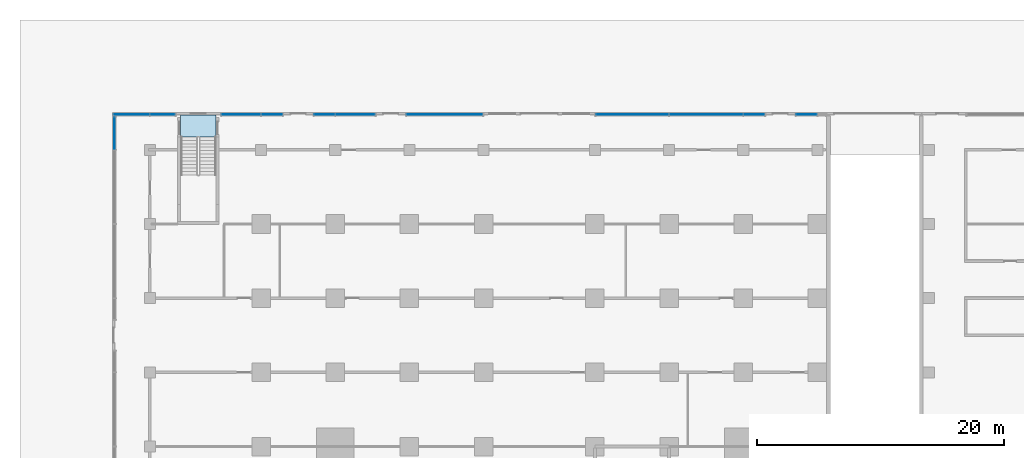
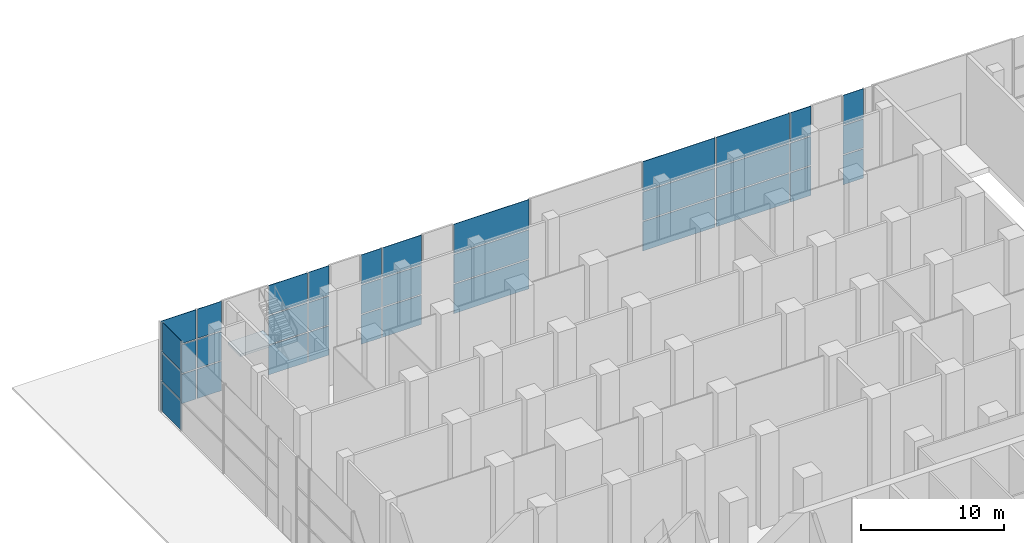
# One storey, part 15 of 29: 36 plates, 1 slab, 8 elements without a shape of their own.
"""IFC4 building model written with IfcOpenShell, lengths in metres."""

import ifcopenshell
import ifcopenshell.guid

model = None  # the IFC model being written
_history = None  # IfcOwnerHistory: only IFC2X3 demands one
_inside = {}  # id of a spatial element -> (the spatial element, [elements in it])
_under = {}  # id of a project, library or spatial element -> (it, [spatial elements below it])
_declared = {}  # id of a project -> (the project, [libraries it declares])
_typed = {}  # id of a type object -> (the type object, [elements of that type])
_made_of = {}  # id of a material, layer set ... -> (it, [elements and type objects made of it])


def new_model(schema):
    """Start an empty IFC model of exactly this schema.

    Asked for "IFC4X3", IfcOpenShell would pick the latest addendum, in which some entities
    have other attributes; the version numbers below select the first issue.
    IFC2X3 requires an IfcOwnerHistory on every rooted entity: one is made here for all.
    """
    global model, _history
    if schema == "IFC4X3":
        model = ifcopenshell.file(schema_version=(4, 3, 0, 0))
    else:
        model = ifcopenshell.file(schema=schema)
    _inside.clear()
    _under.clear()
    _declared.clear()
    _typed.clear()
    _made_of.clear()
    _history = None
    if model.schema == "IFC2X3":
        org = make("IfcOrganization", Name="unknown")
        user = make(
            "IfcPersonAndOrganization",
            ThePerson=make("IfcPerson", FamilyName="unknown"),
            TheOrganization=org,
        )
        app = make(
            "IfcApplication",
            ApplicationDeveloper=org,
            Version="unknown",
            ApplicationFullName="unknown",
            ApplicationIdentifier="unknown",
        )
        _history = make(
            "IfcOwnerHistory",
            OwningUser=user,
            OwningApplication=app,
            ChangeAction="ADDED",
            CreationDate=0,
        )
    return model


def make(cls, **values):
    """One entity of the class cls with the attributes given. An attribute that is None is left unset."""
    return model.create_entity(
        cls, **{name: value for name, value in values.items() if value is not None}
    )


def rooted(cls, **values):
    """An entity with a GlobalId (a new one), such as an element, a storey or a relation."""
    return make(cls, GlobalId=ifcopenshell.guid.new(), OwnerHistory=_history, **values)


def si_unit(unit_type, name, prefix=None):
    """IfcSIUnit, for example si_unit("LENGTHUNIT", "METRE", prefix="MILLI")."""
    return make("IfcSIUnit", UnitType=unit_type, Prefix=prefix, Name=name)


def assignment(units):
    """IfcUnitAssignment: the units of a project."""
    return None if units is None else make("IfcUnitAssignment", Units=units)


def point(xyz):
    """IfcCartesianPoint."""
    return None if xyz is None else make("IfcCartesianPoint", Coordinates=xyz)


def direction(xyz):
    """IfcDirection."""
    return None if xyz is None else make("IfcDirection", DirectionRatios=xyz)


def frame(location, z_axis=None, x_axis=None):
    """IfcAxis2Placement3D, a coordinate frame: its origin and axes. An axis left out is left unset."""
    return make(
        "IfcAxis2Placement3D",
        Location=point(location),
        Axis=direction(z_axis),
        RefDirection=direction(x_axis),
    )


def frame_2d(location, x_axis=None):
    """IfcAxis2Placement2D, a coordinate frame in the plane: its origin and x axis."""
    return make(
        "IfcAxis2Placement2D", Location=point(location), RefDirection=direction(x_axis)
    )


def origin():
    """The frame at (0, 0, 0) with its axes left unset."""
    return frame((0.0, 0.0, 0.0))


def origin_2d():
    """The frame at (0, 0) in the plane with its x axis left unset."""
    return frame_2d((0.0, 0.0))


def place(relative_to, where):
    """IfcLocalPlacement: puts the frame where relative to a parent placement (None: the world)."""
    return make(
        "IfcLocalPlacement", PlacementRelTo=relative_to, RelativePlacement=where
    )


def context(
    kind, dimensions, precision=None, world=None, true_north=None, identifier=None
):
    """IfcGeometricRepresentationContext, for example the 3D "Model" context."""
    return make(
        "IfcGeometricRepresentationContext",
        ContextIdentifier=identifier,
        ContextType=kind,
        CoordinateSpaceDimension=dimensions,
        Precision=precision,
        WorldCoordinateSystem=world,
        TrueNorth=true_north,
    )


def subcontext(parent, identifier, kind, view, scale=None):
    """IfcGeometricRepresentationSubContext, for example "Body" below "Model"."""
    return make(
        "IfcGeometricRepresentationSubContext",
        ContextIdentifier=identifier,
        ContextType=kind,
        ParentContext=parent,
        TargetScale=scale,
        TargetView=view,
    )


def project(units=None, contexts=None):
    """IfcProject with its units and contexts."""
    return rooted(
        "IfcProject",
        Name="project",
        RepresentationContexts=contexts,
        UnitsInContext=assignment(units),
    )


def spatial(cls, under=None, at=None, **own):
    """A site, building, storey or space (cls), placed at a placement, below another one or the project."""
    s = rooted(cls, ObjectPlacement=at, **own)
    if under is not None:
        _under.setdefault(under.id(), (under, []))[1].append(s)
    return s


def polyline(points):
    """IfcPolyline through the points."""
    return make("IfcPolyline", Points=[point(p) for p in points])


def profile(cls, at=None, kind="AREA", **sizes):
    """A parametric profile (cls). Its sizes go by their IFC names, for example OverallWidth=200.0."""
    return make(cls, ProfileType=kind, Position=at, **sizes)


def rectangle(**sizes):
    """IfcRectangleProfileDef."""
    return profile("IfcRectangleProfileDef", **sizes)


def outline(outer, holes=None, kind="AREA"):
    """IfcArbitraryClosedProfileDef: a profile drawn as a closed curve; with holes, ...WithVoids."""
    if holes is None:
        return make("IfcArbitraryClosedProfileDef", ProfileType=kind, OuterCurve=outer)
    return make(
        "IfcArbitraryProfileDefWithVoids",
        ProfileType=kind,
        OuterCurve=outer,
        InnerCurves=holes,
    )


def extrude(swept, where, along, depth):
    """IfcExtrudedAreaSolid: the profile swept, set in the frame where, extruded along a direction by depth."""
    return make(
        "IfcExtrudedAreaSolid",
        SweptArea=swept,
        Position=where,
        ExtrudedDirection=direction(along),
        Depth=depth,
    )


def shape(context_of_items, identifier, shape_type, items):
    """IfcShapeRepresentation: the items that make up one representation, for example the "Body"."""
    return make(
        "IfcShapeRepresentation",
        ContextOfItems=context_of_items,
        RepresentationIdentifier=identifier,
        RepresentationType=shape_type,
        Items=items,
    )


def material(Name=None, Category=None):
    """IfcMaterial."""
    return make("IfcMaterial", Name=Name, Category=Category)


def layer(
    of_material, thickness, ventilated=None, Name=None, Category=None, Priority=None
):
    """IfcMaterialLayer: one layer of a wall or slab, of a material (None: an air gap)."""
    return make(
        "IfcMaterialLayer",
        Material=of_material,
        LayerThickness=thickness,
        IsVentilated=ventilated,
        Name=Name,
        Category=Category,
        Priority=Priority,
    )


def layer_set(layers, Name=None):
    """IfcMaterialLayerSet."""
    return make("IfcMaterialLayerSet", MaterialLayers=layers, LayerSetName=Name)


def made_of(thing, what):
    """Note that an element or type object is made of a material, layer set ...; save() writes the relation."""
    if what is not None:
        _made_of.setdefault(what.id(), (what, []))[1].append(thing)
    return thing


def type_object(cls, material=None, **own):
    """A type object (cls), such as IfcWallType, which elements share."""
    return made_of(rooted(cls, **own), material)


def element(
    cls,
    number,
    at=None,
    inside=None,
    cuts=None,
    type_object=None,
    material=None,
    context=None,
    identifier="Body",
    shape_type=None,
    held_by="IfcProductDefinitionShape",
    body=None,
    shapes=None,
    **own,
):
    """One element of the class cls, such as IfcWall. Its Tag is "e" and its number.

    at: its placement. inside: the storey or other place that contains it. cuts: it is an
    opening in that element (IfcRelVoidsElement). A single representation is given by context,
    identifier, shape_type and body (its items); several are given by shapes. held_by: the class
    of the entity that holds the representations. save() writes the other relations.
    """
    e = rooted(cls, Tag="e%d" % number, ObjectPlacement=at, **own)
    if body is not None:
        shapes = [shape(context, identifier, shape_type, body)]
    if shapes is not None:
        e.Representation = make(held_by, Representations=shapes)
    if inside is not None:
        _inside.setdefault(inside.id(), (inside, []))[1].append(e)
    if cuts is not None:
        rooted(
            "IfcRelVoidsElement", RelatingBuildingElement=cuts, RelatedOpeningElement=e
        )
    if type_object is not None:
        _typed.setdefault(type_object.id(), (type_object, []))[1].append(e)
    return made_of(e, material)


def aggregate(whole, parts):
    """IfcRelAggregates: a whole, such as a stair, and the parts it consists of."""
    return rooted("IfcRelAggregates", RelatingObject=whole, RelatedObjects=parts)


def save(model, path):
    """Write the relations noted so far, then the file.

    IfcRelAggregates (storeys below a building ...), IfcRelContainedInSpatialStructure (elements
    in a storey), IfcRelDefinesByType, IfcRelAssociatesMaterial and IfcRelDeclares: one each for
    every whole, place, type object, material and project.
    """
    for whole, parts in _under.values():
        aggregate(whole, parts)
    for where, things in _inside.values():
        rooted(
            "IfcRelContainedInSpatialStructure",
            RelatedElements=things,
            RelatingStructure=where,
        )
    for kind, things in _typed.values():
        rooted("IfcRelDefinesByType", RelatedObjects=things, RelatingType=kind)
    for what, things in _made_of.values():
        rooted("IfcRelAssociatesMaterial", RelatedObjects=things, RelatingMaterial=what)
    for by, libraries in _declared.values():
        rooted("IfcRelDeclares", RelatingContext=by, RelatedDefinitions=libraries)
    model.write(path)


model = new_model("IFC4")

# Units and contexts
model_context = context("Model", 3, precision=1e-05, world=origin(), true_north=direction((0.0, 1.0)))
body_context = subcontext(model_context, "Body", "Model", "MODEL_VIEW")
ifc_project = project(units=[si_unit("LENGTHUNIT", "METRE"), si_unit("AREAUNIT", "SQUARE_METRE"), si_unit("VOLUMEUNIT", "CUBIC_METRE"), si_unit("PLANEANGLEUNIT", "RADIAN"), si_unit("MASSUNIT", "GRAM", prefix="KILO")], contexts=[model_context])

# Site, building, storey
site_placement = place(None, origin())
site = spatial("IfcSite", under=ifc_project, at=site_placement, CompositionType="ELEMENT")
building_placement = place(site_placement, origin())
building = spatial("IfcBuilding", under=site, at=building_placement, Name="Finial Court Residences", CompositionType="ELEMENT")
storey_placement = place(building_placement, origin())
storey = spatial("IfcBuildingStorey", under=building, at=storey_placement, Name="L00", CompositionType="ELEMENT", Elevation=0.0)

# Curtain wall, plates
ifc_material_1 = material(Name="Bronze anodised aluminium", Category="aluminium")
curtain_wall_type = type_object("IfcCurtainWallType", Name="Podium shopfront", PredefinedType="NOTDEFINED", material=ifc_material_1)
curtain_wall_1_placement = place(storey_placement, origin())
curtain_wall_1 = element("IfcCurtainWall", 1, at=curtain_wall_1_placement, inside=storey, type_object=curtain_wall_type, Name="E-L00-CW-N1", PredefinedType="NOTDEFINED")
ifc_material_2 = material(Name="Clear low-e glass", Category="glass")
ifc_layer_1 = layer(ifc_material_2, 0.0400390625)
ifc_layer_set_1 = layer_set([ifc_layer_1], Name="CW4 vision glass 40")
plate_type = type_object("IfcPlateType", Name="CW4 vision glass 40", PredefinedType="CURTAIN_PANEL", material=ifc_layer_set_1)
plate_1_placement = place(storey_placement, frame((-32.97509765625, 34.35009765625, 0.0), z_axis=(0.0, 0.0, 1.0), x_axis=(1.0, 0.0, 0.0)))
plate_1 = element("IfcPlate", 2, at=plate_1_placement, type_object=plate_type, Name="CW4 glass 1.1", PredefinedType="CURTAIN_PANEL", context=body_context, shape_type="SweptSolid", body=[
    extrude(rectangle(XDim=2.85009765625, YDim=0.0400390625, at=origin_2d()), origin(), (0.0, 0.0, 1.0), 2.5),
])
plate_2_placement = place(storey_placement, frame((-32.97509765625, 34.35009765625, 2.60009765625), z_axis=(0.0, 0.0, 1.0), x_axis=(1.0, 0.0, 0.0)))
plate_2 = element("IfcPlate", 3, at=plate_2_placement, type_object=plate_type, Name="CW4 glass 1.2", PredefinedType="CURTAIN_PANEL", context=body_context, shape_type="SweptSolid", body=[
    extrude(rectangle(XDim=2.85009765625, YDim=0.0400390625, at=origin_2d()), origin(), (0.0, 0.0, 1.0), 2.449951171875),
])
plate_3_placement = place(storey_placement, frame((-32.97509765625, 34.35009765625, 5.14990234375), z_axis=(0.0, 0.0, 1.0), x_axis=(1.0, 0.0, 0.0)))
plate_3 = element("IfcPlate", 4, at=plate_3_placement, type_object=plate_type, Name="CW4 glass 1.3", PredefinedType="CURTAIN_PANEL", context=body_context, shape_type="SweptSolid", body=[
    extrude(rectangle(XDim=2.85009765625, YDim=0.0400390625, at=origin_2d()), origin(), (0.0, 0.0, 1.0), 2.5),
])
plate_4_placement = place(storey_placement, frame((-30.46240234375, 34.35009765625, 0.0), z_axis=(0.0, 0.0, 1.0), x_axis=(1.0, 0.0, 0.0)))
plate_4 = element("IfcPlate", 5, at=plate_4_placement, type_object=plate_type, Name="CW4 glass 2.1", PredefinedType="CURTAIN_PANEL", context=body_context, shape_type="SweptSolid", body=[
    extrude(rectangle(XDim=1.97509765625, YDim=0.0400390625, at=origin_2d()), origin(), (0.0, 0.0, 1.0), 2.5),
])
plate_5_placement = place(storey_placement, frame((-30.46240234375, 34.35009765625, 2.60009765625), z_axis=(0.0, 0.0, 1.0), x_axis=(1.0, 0.0, 0.0)))
plate_5 = element("IfcPlate", 6, at=plate_5_placement, type_object=plate_type, Name="CW4 glass 2.2", PredefinedType="CURTAIN_PANEL", context=body_context, shape_type="SweptSolid", body=[
    extrude(rectangle(XDim=1.97509765625, YDim=0.0400390625, at=origin_2d()), origin(), (0.0, 0.0, 1.0), 2.449951171875),
])
plate_6_placement = place(storey_placement, frame((-30.46240234375, 34.35009765625, 5.14990234375), z_axis=(0.0, 0.0, 1.0), x_axis=(1.0, 0.0, 0.0)))
plate_6 = element("IfcPlate", 7, at=plate_6_placement, type_object=plate_type, Name="CW4 glass 2.3", PredefinedType="CURTAIN_PANEL", context=body_context, shape_type="SweptSolid", body=[
    extrude(rectangle(XDim=1.97509765625, YDim=0.0400390625, at=origin_2d()), origin(), (0.0, 0.0, 1.0), 2.5),
])
aggregate(curtain_wall_1, [plate_1, plate_2, plate_3, plate_4, plate_5, plate_6])

curtain_wall_2_placement = place(storey_placement, origin())
curtain_wall_2 = element("IfcCurtainWall", 8, at=curtain_wall_2_placement, inside=storey, type_object=curtain_wall_type, Name="E-L00-CW-N2", PredefinedType="NOTDEFINED")
plate_7_placement = place(storey_placement, frame((-24.112548828125, 34.35009765625, 0.0), z_axis=(0.0, 0.0, 1.0), x_axis=(1.0, 0.0, 0.0)))
plate_7 = element("IfcPlate", 9, at=plate_7_placement, type_object=plate_type, Name="CW4 glass 1.1", PredefinedType="CURTAIN_PANEL", context=body_context, shape_type="SweptSolid", body=[
    extrude(rectangle(XDim=3.125, YDim=0.0400390625, at=origin_2d()), origin(), (0.0, 0.0, 1.0), 2.5),
])
plate_8_placement = place(storey_placement, frame((-24.112548828125, 34.35009765625, 2.60009765625), z_axis=(0.0, 0.0, 1.0), x_axis=(1.0, 0.0, 0.0)))
plate_8 = element("IfcPlate", 10, at=plate_8_placement, type_object=plate_type, Name="CW4 glass 1.2", PredefinedType="CURTAIN_PANEL", context=body_context, shape_type="SweptSolid", body=[
    extrude(rectangle(XDim=3.125, YDim=0.0400390625, at=origin_2d()), origin(), (0.0, 0.0, 1.0), 2.449951171875),
])
plate_9_placement = place(storey_placement, frame((-24.112548828125, 34.35009765625, 5.14990234375), z_axis=(0.0, 0.0, 1.0), x_axis=(1.0, 0.0, 0.0)))
plate_9 = element("IfcPlate", 11, at=plate_9_placement, type_object=plate_type, Name="CW4 glass 1.3", PredefinedType="CURTAIN_PANEL", context=body_context, shape_type="SweptSolid", body=[
    extrude(rectangle(XDim=3.125, YDim=0.0400390625, at=origin_2d()), origin(), (0.0, 0.0, 1.0), 2.5),
])
plate_10_placement = place(storey_placement, frame((-21.625, 34.35009765625, 0.0), z_axis=(0.0, 0.0, 1.0), x_axis=(1.0, 0.0, 0.0)))
plate_10 = element("IfcPlate", 12, at=plate_10_placement, type_object=plate_type, Name="CW4 glass 2.1", PredefinedType="CURTAIN_PANEL", context=body_context, shape_type="SweptSolid", body=[
    extrude(rectangle(XDim=1.64990234375, YDim=0.0400390625, at=origin_2d()), origin(), (0.0, 0.0, 1.0), 2.5),
])
plate_11_placement = place(storey_placement, frame((-21.625, 34.35009765625, 2.60009765625), z_axis=(0.0, 0.0, 1.0), x_axis=(1.0, 0.0, 0.0)))
plate_11 = element("IfcPlate", 13, at=plate_11_placement, type_object=plate_type, Name="CW4 glass 2.2", PredefinedType="CURTAIN_PANEL", context=body_context, shape_type="SweptSolid", body=[
    extrude(rectangle(XDim=1.64990234375, YDim=0.0400390625, at=origin_2d()), origin(), (0.0, 0.0, 1.0), 2.449951171875),
])
plate_12_placement = place(storey_placement, frame((-21.625, 34.35009765625, 5.14990234375), z_axis=(0.0, 0.0, 1.0), x_axis=(1.0, 0.0, 0.0)))
plate_12 = element("IfcPlate", 14, at=plate_12_placement, type_object=plate_type, Name="CW4 glass 2.3", PredefinedType="CURTAIN_PANEL", context=body_context, shape_type="SweptSolid", body=[
    extrude(rectangle(XDim=1.64990234375, YDim=0.0400390625, at=origin_2d()), origin(), (0.0, 0.0, 1.0), 2.5),
])
aggregate(curtain_wall_2, [plate_7, plate_8, plate_9, plate_10, plate_11, plate_12])

curtain_wall_3_placement = place(storey_placement, origin())
curtain_wall_3 = element("IfcCurtainWall", 15, at=curtain_wall_3_placement, inside=storey, type_object=curtain_wall_type, Name="E-L00-CW-N3", PredefinedType="NOTDEFINED")
plate_13_placement = place(storey_placement, frame((-17.375, 34.35009765625, 0.0), z_axis=(0.0, 0.0, 1.0), x_axis=(1.0, 0.0, 0.0)))
plate_13 = element("IfcPlate", 16, at=plate_13_placement, type_object=plate_type, Name="CW4 glass 1.1", PredefinedType="CURTAIN_PANEL", context=body_context, shape_type="SweptSolid", body=[
    extrude(rectangle(XDim=1.64990234375, YDim=0.0400390625, at=origin_2d()), origin(), (0.0, 0.0, 1.0), 2.5),
])
plate_14_placement = place(storey_placement, frame((-17.375, 34.35009765625, 2.60009765625), z_axis=(0.0, 0.0, 1.0), x_axis=(1.0, 0.0, 0.0)))
plate_14 = element("IfcPlate", 17, at=plate_14_placement, type_object=plate_type, Name="CW4 glass 1.2", PredefinedType="CURTAIN_PANEL", context=body_context, shape_type="SweptSolid", body=[
    extrude(rectangle(XDim=1.64990234375, YDim=0.0400390625, at=origin_2d()), origin(), (0.0, 0.0, 1.0), 2.449951171875),
])
plate_15_placement = place(storey_placement, frame((-17.375, 34.35009765625, 5.14990234375), z_axis=(0.0, 0.0, 1.0), x_axis=(1.0, 0.0, 0.0)))
plate_15 = element("IfcPlate", 18, at=plate_15_placement, type_object=plate_type, Name="CW4 glass 1.3", PredefinedType="CURTAIN_PANEL", context=body_context, shape_type="SweptSolid", body=[
    extrude(rectangle(XDim=1.64990234375, YDim=0.0400390625, at=origin_2d()), origin(), (0.0, 0.0, 1.0), 2.5),
])
plate_16_placement = place(storey_placement, frame((-14.875, 34.35009765625, 0.0), z_axis=(0.0, 0.0, 1.0), x_axis=(1.0, 0.0, 0.0)))
plate_16 = element("IfcPlate", 19, at=plate_16_placement, type_object=plate_type, Name="CW4 glass 2.1", PredefinedType="CURTAIN_PANEL", context=body_context, shape_type="SweptSolid", body=[
    extrude(rectangle(XDim=3.14990234375, YDim=0.0400390625, at=origin_2d()), origin(), (0.0, 0.0, 1.0), 2.5),
])
plate_17_placement = place(storey_placement, frame((-14.875, 34.35009765625, 2.60009765625), z_axis=(0.0, 0.0, 1.0), x_axis=(1.0, 0.0, 0.0)))
plate_17 = element("IfcPlate", 20, at=plate_17_placement, type_object=plate_type, Name="CW4 glass 2.2", PredefinedType="CURTAIN_PANEL", context=body_context, shape_type="SweptSolid", body=[
    extrude(rectangle(XDim=3.14990234375, YDim=0.0400390625, at=origin_2d()), origin(), (0.0, 0.0, 1.0), 2.449951171875),
])
plate_18_placement = place(storey_placement, frame((-14.875, 34.35009765625, 5.14990234375), z_axis=(0.0, 0.0, 1.0), x_axis=(1.0, 0.0, 0.0)))
plate_18 = element("IfcPlate", 21, at=plate_18_placement, type_object=plate_type, Name="CW4 glass 2.3", PredefinedType="CURTAIN_PANEL", context=body_context, shape_type="SweptSolid", body=[
    extrude(rectangle(XDim=3.14990234375, YDim=0.0400390625, at=origin_2d()), origin(), (0.0, 0.0, 1.0), 2.5),
])
aggregate(curtain_wall_3, [plate_13, plate_14, plate_15, plate_16, plate_17, plate_18])

curtain_wall_4_placement = place(storey_placement, origin())
curtain_wall_4 = element("IfcCurtainWall", 22, at=curtain_wall_4_placement, inside=storey, type_object=curtain_wall_type, Name="E-L00-CW-N4", PredefinedType="NOTDEFINED")
plate_19_placement = place(storey_placement, frame((-7.64990234375, 34.35009765625, 0.0), z_axis=(0.0, 0.0, 1.0), x_axis=(1.0, 0.0, 0.0)))
plate_19 = element("IfcPlate", 23, at=plate_19_placement, type_object=plate_type, Name="CW4 glass 1.1", PredefinedType="CURTAIN_PANEL", context=body_context, shape_type="SweptSolid", body=[
    extrude(rectangle(XDim=6.10009765625, YDim=0.0400390625, at=origin_2d()), origin(), (0.0, 0.0, 1.0), 2.5),
])
plate_20_placement = place(storey_placement, frame((-7.64990234375, 34.35009765625, 2.60009765625), z_axis=(0.0, 0.0, 1.0), x_axis=(1.0, 0.0, 0.0)))
plate_20 = element("IfcPlate", 24, at=plate_20_placement, type_object=plate_type, Name="CW4 glass 1.2", PredefinedType="CURTAIN_PANEL", context=body_context, shape_type="SweptSolid", body=[
    extrude(rectangle(XDim=6.10009765625, YDim=0.0400390625, at=origin_2d()), origin(), (0.0, 0.0, 1.0), 2.449951171875),
])
plate_21_placement = place(storey_placement, frame((-7.64990234375, 34.35009765625, 5.14990234375), z_axis=(0.0, 0.0, 1.0), x_axis=(1.0, 0.0, 0.0)))
plate_21 = element("IfcPlate", 25, at=plate_21_placement, type_object=plate_type, Name="CW4 glass 1.3", PredefinedType="CURTAIN_PANEL", context=body_context, shape_type="SweptSolid", body=[
    extrude(rectangle(XDim=6.10009765625, YDim=0.0400390625, at=origin_2d()), origin(), (0.0, 0.0, 1.0), 2.5),
])
aggregate(curtain_wall_4, [plate_19, plate_20, plate_21])

curtain_wall_5_placement = place(storey_placement, origin())
curtain_wall_5 = element("IfcCurtainWall", 26, at=curtain_wall_5_placement, inside=storey, type_object=curtain_wall_type, Name="E-L00-CW-N5", PredefinedType="NOTDEFINED")
plate_22_placement = place(storey_placement, frame((7.52490234375, 34.35009765625, 0.0), z_axis=(0.0, 0.0, 1.0), x_axis=(1.0, 0.0, 0.0)))
plate_22 = element("IfcPlate", 27, at=plate_22_placement, type_object=plate_type, Name="CW4 glass 1.1", PredefinedType="CURTAIN_PANEL", context=body_context, shape_type="SweptSolid", body=[
    extrude(rectangle(XDim=5.85009765625, YDim=0.0400390625, at=origin_2d()), origin(), (0.0, 0.0, 1.0), 2.5),
])
plate_23_placement = place(storey_placement, frame((7.52490234375, 34.35009765625, 2.60009765625), z_axis=(0.0, 0.0, 1.0), x_axis=(1.0, 0.0, 0.0)))
plate_23 = element("IfcPlate", 28, at=plate_23_placement, type_object=plate_type, Name="CW4 glass 1.2", PredefinedType="CURTAIN_PANEL", context=body_context, shape_type="SweptSolid", body=[
    extrude(rectangle(XDim=5.85009765625, YDim=0.0400390625, at=origin_2d()), origin(), (0.0, 0.0, 1.0), 2.449951171875),
])
plate_24_placement = place(storey_placement, frame((7.52490234375, 34.35009765625, 5.14990234375), z_axis=(0.0, 0.0, 1.0), x_axis=(1.0, 0.0, 0.0)))
plate_24 = element("IfcPlate", 29, at=plate_24_placement, type_object=plate_type, Name="CW4 glass 1.3", PredefinedType="CURTAIN_PANEL", context=body_context, shape_type="SweptSolid", body=[
    extrude(rectangle(XDim=5.85009765625, YDim=0.0400390625, at=origin_2d()), origin(), (0.0, 0.0, 1.0), 2.5),
])
plate_25_placement = place(storey_placement, frame((13.5, 34.35009765625, 0.0), z_axis=(0.0, 0.0, 1.0), x_axis=(1.0, 0.0, 0.0)))
plate_25 = element("IfcPlate", 30, at=plate_25_placement, type_object=plate_type, Name="CW4 glass 2.1", PredefinedType="CURTAIN_PANEL", context=body_context, shape_type="SweptSolid", body=[
    extrude(rectangle(XDim=5.89990234375, YDim=0.0400390625, at=origin_2d()), origin(), (0.0, 0.0, 1.0), 2.5),
])
plate_26_placement = place(storey_placement, frame((13.5, 34.35009765625, 2.60009765625), z_axis=(0.0, 0.0, 1.0), x_axis=(1.0, 0.0, 0.0)))
plate_26 = element("IfcPlate", 31, at=plate_26_placement, type_object=plate_type, Name="CW4 glass 2.2", PredefinedType="CURTAIN_PANEL", context=body_context, shape_type="SweptSolid", body=[
    extrude(rectangle(XDim=5.89990234375, YDim=0.0400390625, at=origin_2d()), origin(), (0.0, 0.0, 1.0), 2.449951171875),
])
plate_27_placement = place(storey_placement, frame((13.5, 34.35009765625, 5.14990234375), z_axis=(0.0, 0.0, 1.0), x_axis=(1.0, 0.0, 0.0)))
plate_27 = element("IfcPlate", 32, at=plate_27_placement, type_object=plate_type, Name="CW4 glass 2.3", PredefinedType="CURTAIN_PANEL", context=body_context, shape_type="SweptSolid", body=[
    extrude(rectangle(XDim=5.89990234375, YDim=0.0400390625, at=origin_2d()), origin(), (0.0, 0.0, 1.0), 2.5),
])
plate_28_placement = place(storey_placement, frame((17.375, 34.35009765625, 0.0), z_axis=(0.0, 0.0, 1.0), x_axis=(1.0, 0.0, 0.0)))
plate_28 = element("IfcPlate", 33, at=plate_28_placement, type_object=plate_type, Name="CW4 glass 3.1", PredefinedType="CURTAIN_PANEL", context=body_context, shape_type="SweptSolid", body=[
    extrude(rectangle(XDim=1.64990234375, YDim=0.0400390625, at=origin_2d()), origin(), (0.0, 0.0, 1.0), 2.5),
])
plate_29_placement = place(storey_placement, frame((17.375, 34.35009765625, 2.60009765625), z_axis=(0.0, 0.0, 1.0), x_axis=(1.0, 0.0, 0.0)))
plate_29 = element("IfcPlate", 34, at=plate_29_placement, type_object=plate_type, Name="CW4 glass 3.2", PredefinedType="CURTAIN_PANEL", context=body_context, shape_type="SweptSolid", body=[
    extrude(rectangle(XDim=1.64990234375, YDim=0.0400390625, at=origin_2d()), origin(), (0.0, 0.0, 1.0), 2.449951171875),
])
plate_30_placement = place(storey_placement, frame((17.375, 34.35009765625, 5.14990234375), z_axis=(0.0, 0.0, 1.0), x_axis=(1.0, 0.0, 0.0)))
plate_30 = element("IfcPlate", 35, at=plate_30_placement, type_object=plate_type, Name="CW4 glass 3.3", PredefinedType="CURTAIN_PANEL", context=body_context, shape_type="SweptSolid", body=[
    extrude(rectangle(XDim=1.64990234375, YDim=0.0400390625, at=origin_2d()), origin(), (0.0, 0.0, 1.0), 2.5),
])
aggregate(curtain_wall_5, [plate_22, plate_23, plate_24, plate_25, plate_26, plate_27, plate_28, plate_29, plate_30])

curtain_wall_6_placement = place(storey_placement, origin())
curtain_wall_6 = element("IfcCurtainWall", 36, at=curtain_wall_6_placement, inside=storey, type_object=curtain_wall_type, Name="E-L00-CW-N6", PredefinedType="NOTDEFINED")
plate_31_placement = place(storey_placement, frame((21.625, 34.35009765625, 0.0), z_axis=(0.0, 0.0, 1.0), x_axis=(1.0, 0.0, 0.0)))
plate_31 = element("IfcPlate", 37, at=plate_31_placement, type_object=plate_type, Name="CW4 glass 1.1", PredefinedType="CURTAIN_PANEL", context=body_context, shape_type="SweptSolid", body=[
    extrude(rectangle(XDim=1.64990234375, YDim=0.0400390625, at=origin_2d()), origin(), (0.0, 0.0, 1.0), 2.5),
])
plate_32_placement = place(storey_placement, frame((21.625, 34.35009765625, 2.60009765625), z_axis=(0.0, 0.0, 1.0), x_axis=(1.0, 0.0, 0.0)))
plate_32 = element("IfcPlate", 38, at=plate_32_placement, type_object=plate_type, Name="CW4 glass 1.2", PredefinedType="CURTAIN_PANEL", context=body_context, shape_type="SweptSolid", body=[
    extrude(rectangle(XDim=1.64990234375, YDim=0.0400390625, at=origin_2d()), origin(), (0.0, 0.0, 1.0), 2.449951171875),
])
plate_33_placement = place(storey_placement, frame((21.625, 34.35009765625, 5.14990234375), z_axis=(0.0, 0.0, 1.0), x_axis=(1.0, 0.0, 0.0)))
plate_33 = element("IfcPlate", 39, at=plate_33_placement, type_object=plate_type, Name="CW4 glass 1.3", PredefinedType="CURTAIN_PANEL", context=body_context, shape_type="SweptSolid", body=[
    extrude(rectangle(XDim=1.64990234375, YDim=0.0400390625, at=origin_2d()), origin(), (0.0, 0.0, 1.0), 2.5),
])
aggregate(curtain_wall_6, [plate_31, plate_32, plate_33])

curtain_wall_7_placement = place(storey_placement, origin())
curtain_wall_7 = element("IfcCurtainWall", 40, at=curtain_wall_7_placement, inside=storey, type_object=curtain_wall_type, Name="E-L00-CW-W30", PredefinedType="NOTDEFINED")
plate_34_placement = place(storey_placement, frame((-34.35009765625, 32.83740234375, 0.0), z_axis=(0.0, 0.0, 1.0), x_axis=(0.0, 1.0, 0.0)))
plate_34 = element("IfcPlate", 41, at=plate_34_placement, type_object=plate_type, Name="CW4 glass 4.1", PredefinedType="CURTAIN_PANEL", context=body_context, shape_type="SweptSolid", body=[
    extrude(rectangle(XDim=2.574951171875, YDim=0.0400390625, at=origin_2d()), origin(), (0.0, 0.0, 1.0), 2.5),
])
plate_35_placement = place(storey_placement, frame((-34.35009765625, 32.83740234375, 2.60009765625), z_axis=(0.0, 0.0, 1.0), x_axis=(0.0, 1.0, 0.0)))
plate_35 = element("IfcPlate", 42, at=plate_35_placement, type_object=plate_type, Name="CW4 glass 4.2", PredefinedType="CURTAIN_PANEL", context=body_context, shape_type="SweptSolid", body=[
    extrude(rectangle(XDim=2.574951171875, YDim=0.0400390625, at=origin_2d()), origin(), (0.0, 0.0, 1.0), 2.449951171875),
])
plate_36_placement = place(storey_placement, frame((-34.35009765625, 32.83740234375, 5.14990234375), z_axis=(0.0, 0.0, 1.0), x_axis=(0.0, 1.0, 0.0)))
plate_36 = element("IfcPlate", 43, at=plate_36_placement, type_object=plate_type, Name="CW4 glass 4.3", PredefinedType="CURTAIN_PANEL", context=body_context, shape_type="SweptSolid", body=[
    extrude(rectangle(XDim=2.574951171875, YDim=0.0400390625, at=origin_2d()), origin(), (0.0, 0.0, 1.0), 2.5),
])
aggregate(curtain_wall_7, [plate_34, plate_35, plate_36])

# Stair, slab
ifc_material_3 = material(Name="Concrete C50/60", Category="concrete")
stair_type = type_object("IfcStairType", Name="Exit stair 48 risers of 166.7 mm", PredefinedType="HALF_TURN_STAIR", material=ifc_material_3)
stair_placement = place(storey_placement, origin())
stair = element("IfcStair", 44, at=stair_placement, inside=storey, type_object=stair_type, Name="L00 Exit Stair 6", PredefinedType="HALF_TURN_STAIR")
ifc_layer_2 = layer(ifc_material_3, 0.199951171875)
ifc_layer_set_2 = layer_set([ifc_layer_2], Name="Exit stair landing")
slab_type = type_object("IfcSlabType", Name="Exit stair landing", PredefinedType="LANDING", material=ifc_layer_set_2)
slab_placement = place(storey_placement, frame((0.0, 0.0, 3.800048828125)))
slab = element("IfcSlab", 45, at=slab_placement, type_object=slab_type, Name="ST-6 landing 2", PredefinedType="LANDING", context=body_context, shape_type="SweptSolid", body=[
    extrude(outline(polyline([(-29.0, 34.300048828125), (-29.0, 32.550048828125), (-26.14990234375, 32.550048828125), (-26.14990234375, 34.300048828125), (-29.0, 34.300048828125)])), origin(), (0.0, 0.0, 1.0), 0.199951171875),
])
aggregate(stair, [slab])

save(model, "model.ifc")
